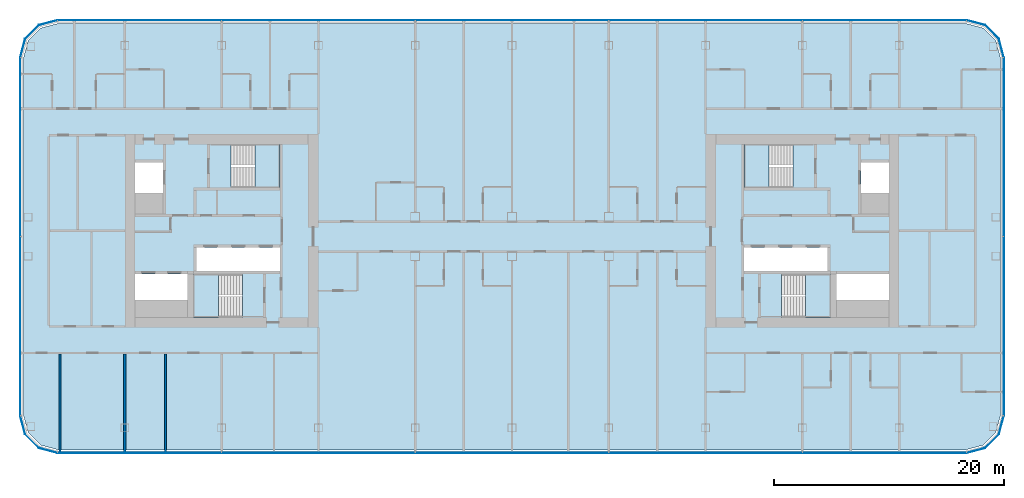
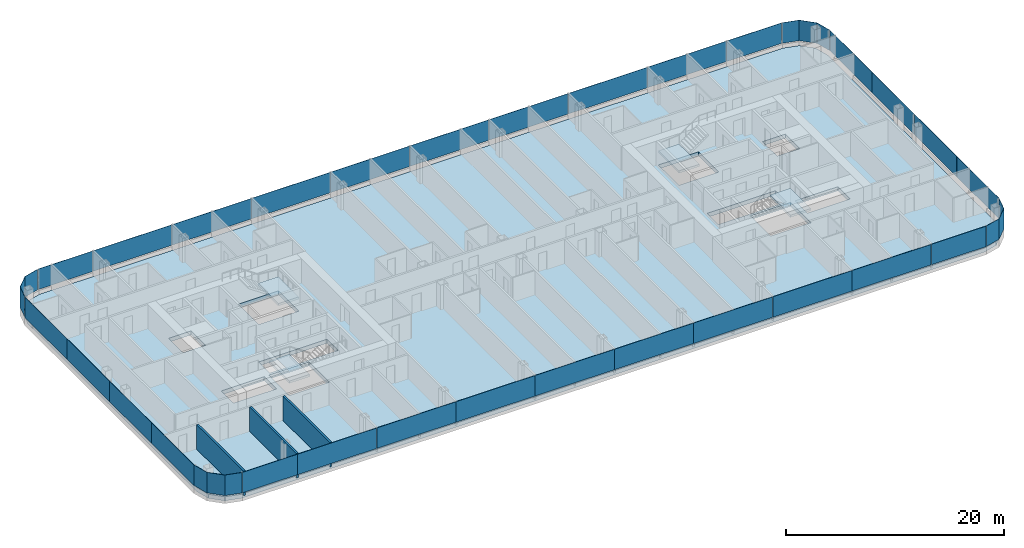
# One storey, part 11 of 26: 32 plates, 5 slabs, 3 walls, 12 elements without a shape of their own.
"""IFC4 building model written with IfcOpenShell, lengths in metres."""

from ifc_helpers import new_model, si_unit, direction, frame, frame_2d, origin, origin_2d, place, context, subcontext, project, spatial, polyline, rectangle, outline, extrude, material, layer, layer_set, type_object, element, aggregate, save


model = new_model("IFC4")

# Units and contexts
model_context = context("Model", 3, precision=1e-05, world=origin(), true_north=direction((0.0, 1.0)))
body_context = subcontext(model_context, "Body", "Model", "MODEL_VIEW")
ifc_project = project(units=[si_unit("LENGTHUNIT", "METRE"), si_unit("AREAUNIT", "SQUARE_METRE"), si_unit("VOLUMEUNIT", "CUBIC_METRE"), si_unit("PLANEANGLEUNIT", "RADIAN"), si_unit("MASSUNIT", "GRAM", prefix="KILO")], contexts=[model_context])

# Site, building, storey
site_placement = place(None, origin())
site = spatial("IfcSite", under=ifc_project, at=site_placement, CompositionType="ELEMENT")
building_placement = place(site_placement, origin())
building = spatial("IfcBuilding", under=site, at=building_placement, Name="Hakoniwa Tower and Hamabe Station Hall", CompositionType="ELEMENT")
storey_placement = place(building_placement, frame((0.0, 0.0, 169.39990234375)))
storey = spatial("IfcBuildingStorey", under=building, at=storey_placement, Name="L48", CompositionType="ELEMENT", Elevation=169.39990234375)

# Stair, slab
ifc_material_1 = material(Name="Concrete C40", Category="concrete")
stair_type = type_object("IfcStairType", Name="ESCAPE STAIR 1800", PredefinedType="HALF_TURN_STAIR", material=ifc_material_1)
stair_1_placement = place(storey_placement, origin())
stair_1 = element("IfcStair", 1, at=stair_1_placement, inside=storey, type_object=stair_type, Name="Escape stair ST-1 L48", PredefinedType="HALF_TURN_STAIR")
ifc_material_2 = material(Name="Concrete C40", Category="concrete")
ifc_layer_1 = layer(ifc_material_2, 0.25)
ifc_layer_set_1 = layer_set([ifc_layer_1], Name="CORE STAIR LANDING 250")
slab_type_1 = type_object("IfcSlabType", Name="CORE STAIR LANDING 250", PredefinedType="LANDING", material=ifc_layer_set_1)
slab_1_placement = place(storey_placement, frame((0.0, 0.0, 1.35009765625)))
slab_1 = element("IfcSlab", 2, at=slab_1_placement, type_object=slab_type_1, Name="ST-1 landing 1", PredefinedType="LANDING", context=body_context, shape_type="SweptSolid", body=[
    extrude(outline(polyline([(-22.320068359375, 3.75), (-20.14990234375, 3.75), (-20.14990234375, 7.5), (-22.320068359375, 7.5), (-22.320068359375, 3.75)])), origin(), (0.0, 0.0, 1.0), 0.25),
])
aggregate(stair_1, [slab_1])

stair_2_placement = place(storey_placement, origin())
stair_2 = element("IfcStair", 3, at=stair_2_placement, inside=storey, type_object=stair_type, Name="Escape stair ST-2 L48", PredefinedType="HALF_TURN_STAIR")
slab_2_placement = place(storey_placement, frame((0.0, 0.0, 1.35009765625)))
slab_2 = element("IfcSlab", 4, at=slab_2_placement, type_object=slab_type_1, Name="ST-2 landing 1", PredefinedType="LANDING", context=body_context, shape_type="SweptSolid", body=[
    extrude(outline(polyline([(-25.47998046875, -7.5), (-27.64990234375, -7.5), (-27.64990234375, -3.75), (-25.47998046875, -3.75), (-25.47998046875, -7.5)])), origin(), (0.0, 0.0, 1.0), 0.25),
])
aggregate(stair_2, [slab_2])

stair_3_placement = place(storey_placement, origin())
stair_3 = element("IfcStair", 5, at=stair_3_placement, inside=storey, type_object=stair_type, Name="Escape stair ST-3 L48", PredefinedType="HALF_TURN_STAIR")
slab_3_placement = place(storey_placement, frame((0.0, 0.0, 1.35009765625)))
slab_3 = element("IfcSlab", 6, at=slab_3_placement, type_object=slab_type_1, Name="ST-3 landing 1", PredefinedType="LANDING", context=body_context, shape_type="SweptSolid", body=[
    extrude(outline(polyline([(22.320068359375, 3.75), (20.14990234375, 3.75), (20.14990234375, 7.5), (22.320068359375, 7.5), (22.320068359375, 3.75)])), origin(), (0.0, 0.0, 1.0), 0.25),
])
aggregate(stair_3, [slab_3])

stair_4_placement = place(storey_placement, origin())
stair_4 = element("IfcStair", 7, at=stair_4_placement, inside=storey, type_object=stair_type, Name="Escape stair ST-4 L48", PredefinedType="HALF_TURN_STAIR")
slab_4_placement = place(storey_placement, frame((0.0, 0.0, 1.35009765625)))
slab_4 = element("IfcSlab", 8, at=slab_4_placement, type_object=slab_type_1, Name="ST-4 landing 1", PredefinedType="LANDING", context=body_context, shape_type="SweptSolid", body=[
    extrude(outline(polyline([(25.47998046875, -7.5), (27.64990234375, -7.5), (27.64990234375, -3.75), (25.47998046875, -3.75), (25.47998046875, -7.5)])), origin(), (0.0, 0.0, 1.0), 0.25),
])
aggregate(stair_4, [slab_4])

# Curtain wall, plates
ifc_material_3 = material(Name="Dark low-e laminated glass", Category="glass")
ifc_layer_2 = layer(ifc_material_3, 0.199951171875)
ifc_layer_set_2 = layer_set([ifc_layer_2], Name="CW-1 UNITISED GUEST")
curtain_wall_type = type_object("IfcCurtainWallType", Name="CW-1 UNITISED GUEST", PredefinedType="NOTDEFINED", material=ifc_layer_set_2)
curtain_wall_1_placement = place(storey_placement, origin())
curtain_wall_1 = element("IfcCurtainWall", 9, at=curtain_wall_1_placement, inside=storey, type_object=curtain_wall_type, Name="CW-1 curtain wall", PredefinedType="NOTDEFINED")
ifc_material_4 = material(Name="Dark low-e laminated glass", Category="glass")
ifc_layer_3 = layer(ifc_material_4, 0.028076171875)
ifc_layer_set_3 = layer_set([ifc_layer_3], Name="CW-1 GLASS UNIT")
plate_type = type_object("IfcPlateType", Name="CW-1 GLASS UNIT", PredefinedType="CURTAIN_PANEL", material=ifc_layer_set_3)
plate_1_placement = place(storey_placement, frame((42.68603515625, -12.154541015625, 0.35009765625), z_axis=(0.0, 0.0, 1.0), x_axis=(0.0, 1.0, 0.0)))
plate_1 = element("IfcPlate", 10, at=plate_1_placement, type_object=plate_type, Name="CW-1 glass unit", PredefinedType="CURTAIN_PANEL", context=body_context, shape_type="SweptSolid", body=[
    extrude(rectangle(XDim=7.749755859375, YDim=0.028076171875, at=origin_2d()), origin(), (0.0, 0.0, 1.0), 2.300048828125),
])
plate_2_placement = place(storey_placement, frame((42.68603515625, -4.384765625, 0.35009765625), z_axis=(0.0, 0.0, 1.0), x_axis=(0.0, 1.0, 0.0)))
plate_2 = element("IfcPlate", 11, at=plate_2_placement, type_object=plate_type, Name="CW-1 glass unit", PredefinedType="CURTAIN_PANEL", context=body_context, shape_type="SweptSolid", body=[
    extrude(rectangle(XDim=7.749755859375, YDim=0.028076171875, at=origin_2d()), origin(), (0.0, 0.0, 1.0), 2.300048828125),
])
plate_3_placement = place(storey_placement, frame((42.68603515625, 3.384765625, 0.35009765625), z_axis=(0.0, 0.0, 1.0), x_axis=(0.0, 1.0, 0.0)))
plate_3 = element("IfcPlate", 12, at=plate_3_placement, type_object=plate_type, Name="CW-1 glass unit", PredefinedType="CURTAIN_PANEL", context=body_context, shape_type="SweptSolid", body=[
    extrude(rectangle(XDim=7.749755859375, YDim=0.028076171875, at=origin_2d()), origin(), (0.0, 0.0, 1.0), 2.300048828125),
])
plate_4_placement = place(storey_placement, frame((42.68603515625, 11.154541015625, 0.35009765625), z_axis=(0.0, 0.0, 1.0), x_axis=(0.0, 1.0, 0.0)))
plate_4 = element("IfcPlate", 13, at=plate_4_placement, type_object=plate_type, Name="CW-1 glass unit", PredefinedType="CURTAIN_PANEL", context=body_context, shape_type="SweptSolid", body=[
    extrude(rectangle(XDim=7.749755859375, YDim=0.028076171875, at=origin_2d()), origin(), (0.0, 0.0, 1.0), 2.300048828125),
])
aggregate(curtain_wall_1, [plate_1, plate_2, plate_3, plate_4])

# Curtain wall, plate
curtain_wall_2_placement = place(storey_placement, origin())
curtain_wall_2 = element("IfcCurtainWall", 14, at=curtain_wall_2_placement, inside=storey, type_object=curtain_wall_type, Name="CW-1 curtain wall", PredefinedType="NOTDEFINED")
plate_5_placement = place(storey_placement, frame((0.0, 0.0, 0.35009765625)))
plate_5 = element("IfcPlate", 15, at=plate_5_placement, type_object=plate_type, Name="CW-1 curved corner unit", PredefinedType="CURTAIN_PANEL", context=body_context, shape_type="SweptSolid", body=[
    extrude(outline(polyline([(42.689697265625, 15.078125), (42.26708984375, 16.6552734375), (41.05517578125, 17.866943359375), (39.47802734375, 18.28955078125), (39.470947265625, 18.2626953125), (41.040771484375, 17.842041015625), (42.241943359375, 16.640869140625), (42.66259765625, 15.07080078125), (42.689697265625, 15.078125)])), origin(), (0.0, 0.0, 1.0), 2.300048828125),
])
aggregate(curtain_wall_2, [plate_5])

# Curtain wall, plates
curtain_wall_3_placement = place(storey_placement, origin())
curtain_wall_3 = element("IfcCurtainWall", 16, at=curtain_wall_3_placement, inside=storey, type_object=curtain_wall_type, Name="CW-1 curtain wall", PredefinedType="NOTDEFINED")
plate_6_placement = place(storey_placement, frame((36.519775390625, 18.285888671875, 0.35009765625), z_axis=(0.0, 0.0, 1.0), x_axis=(-1.0, 0.0, 0.0)))
plate_6 = element("IfcPlate", 17, at=plate_6_placement, type_object=plate_type, Name="CW-1 glass unit", PredefinedType="CURTAIN_PANEL", context=body_context, shape_type="SweptSolid", body=[
    extrude(rectangle(XDim=5.819580078125, YDim=0.028076171875, at=origin_2d()), origin(), (0.0, 0.0, 1.0), 2.300048828125),
])
plate_7_placement = place(storey_placement, frame((29.39990234375, 18.285888671875, 0.35009765625), z_axis=(0.0, 0.0, 1.0), x_axis=(-1.0, 0.0, 0.0)))
plate_7 = element("IfcPlate", 18, at=plate_7_placement, type_object=plate_type, Name="CW-1 glass unit", PredefinedType="CURTAIN_PANEL", context=body_context, shape_type="SweptSolid", body=[
    extrude(rectangle(XDim=8.3798828125, YDim=0.028076171875, at=origin_2d()), origin(), (0.0, 0.0, 1.0), 2.300048828125),
])
plate_8_placement = place(storey_placement, frame((21.0, 18.285888671875, 0.35009765625), z_axis=(0.0, 0.0, 1.0), x_axis=(-1.0, 0.0, 0.0)))
plate_8 = element("IfcPlate", 19, at=plate_8_placement, type_object=plate_type, Name="CW-1 glass unit", PredefinedType="CURTAIN_PANEL", context=body_context, shape_type="SweptSolid", body=[
    extrude(rectangle(XDim=8.3798828125, YDim=0.028076171875, at=origin_2d()), origin(), (0.0, 0.0, 1.0), 2.300048828125),
])
plate_9_placement = place(storey_placement, frame((12.60009765625, 18.285888671875, 0.35009765625), z_axis=(0.0, 0.0, 1.0), x_axis=(-1.0, 0.0, 0.0)))
plate_9 = element("IfcPlate", 20, at=plate_9_placement, type_object=plate_type, Name="CW-1 glass unit", PredefinedType="CURTAIN_PANEL", context=body_context, shape_type="SweptSolid", body=[
    extrude(rectangle(XDim=8.3798828125, YDim=0.028076171875, at=origin_2d()), origin(), (0.0, 0.0, 1.0), 2.300048828125),
])
plate_10_placement = place(storey_placement, frame((4.199951171875, 18.285888671875, 0.35009765625), z_axis=(0.0, 0.0, 1.0), x_axis=(-1.0, 0.0, 0.0)))
plate_10 = element("IfcPlate", 21, at=plate_10_placement, type_object=plate_type, Name="CW-1 glass unit", PredefinedType="CURTAIN_PANEL", context=body_context, shape_type="SweptSolid", body=[
    extrude(rectangle(XDim=8.3798828125, YDim=0.028076171875, at=origin_2d()), origin(), (0.0, 0.0, 1.0), 2.300048828125),
])
plate_11_placement = place(storey_placement, frame((-4.199951171875, 18.285888671875, 0.35009765625), z_axis=(0.0, 0.0, 1.0), x_axis=(-1.0, 0.0, 0.0)))
plate_11 = element("IfcPlate", 22, at=plate_11_placement, type_object=plate_type, Name="CW-1 glass unit", PredefinedType="CURTAIN_PANEL", context=body_context, shape_type="SweptSolid", body=[
    extrude(rectangle(XDim=8.3798828125, YDim=0.028076171875, at=origin_2d()), origin(), (0.0, 0.0, 1.0), 2.300048828125),
])
plate_12_placement = place(storey_placement, frame((-12.60009765625, 18.285888671875, 0.35009765625), z_axis=(0.0, 0.0, 1.0), x_axis=(-1.0, 0.0, 0.0)))
plate_12 = element("IfcPlate", 23, at=plate_12_placement, type_object=plate_type, Name="CW-1 glass unit", PredefinedType="CURTAIN_PANEL", context=body_context, shape_type="SweptSolid", body=[
    extrude(rectangle(XDim=8.3798828125, YDim=0.028076171875, at=origin_2d()), origin(), (0.0, 0.0, 1.0), 2.300048828125),
])
plate_13_placement = place(storey_placement, frame((-21.0, 18.285888671875, 0.35009765625), z_axis=(0.0, 0.0, 1.0), x_axis=(-1.0, 0.0, 0.0)))
plate_13 = element("IfcPlate", 24, at=plate_13_placement, type_object=plate_type, Name="CW-1 glass unit", PredefinedType="CURTAIN_PANEL", context=body_context, shape_type="SweptSolid", body=[
    extrude(rectangle(XDim=8.3798828125, YDim=0.028076171875, at=origin_2d()), origin(), (0.0, 0.0, 1.0), 2.300048828125),
])
plate_14_placement = place(storey_placement, frame((-29.39990234375, 18.285888671875, 0.35009765625), z_axis=(0.0, 0.0, 1.0), x_axis=(-1.0, 0.0, 0.0)))
plate_14 = element("IfcPlate", 25, at=plate_14_placement, type_object=plate_type, Name="CW-1 glass unit", PredefinedType="CURTAIN_PANEL", context=body_context, shape_type="SweptSolid", body=[
    extrude(rectangle(XDim=8.3798828125, YDim=0.028076171875, at=origin_2d()), origin(), (0.0, 0.0, 1.0), 2.300048828125),
])
plate_15_placement = place(storey_placement, frame((-36.519775390625, 18.285888671875, 0.35009765625), z_axis=(0.0, 0.0, 1.0), x_axis=(-1.0, 0.0, 0.0)))
plate_15 = element("IfcPlate", 26, at=plate_15_placement, type_object=plate_type, Name="CW-1 glass unit", PredefinedType="CURTAIN_PANEL", context=body_context, shape_type="SweptSolid", body=[
    extrude(rectangle(XDim=5.819580078125, YDim=0.028076171875, at=origin_2d()), origin(), (0.0, 0.0, 1.0), 2.300048828125),
])
aggregate(curtain_wall_3, [plate_6, plate_7, plate_8, plate_9, plate_10, plate_11, plate_12, plate_13, plate_14, plate_15])

# Curtain wall, plate
curtain_wall_4_placement = place(storey_placement, origin())
curtain_wall_4 = element("IfcCurtainWall", 27, at=curtain_wall_4_placement, inside=storey, type_object=curtain_wall_type, Name="CW-1 curtain wall", PredefinedType="NOTDEFINED")
plate_16_placement = place(storey_placement, frame((0.0, 0.0, 0.35009765625)))
plate_16 = element("IfcPlate", 28, at=plate_16_placement, type_object=plate_type, Name="CW-1 curved corner unit", PredefinedType="CURTAIN_PANEL", context=body_context, shape_type="SweptSolid", body=[
    extrude(outline(polyline([(-39.47802734375, 18.28955078125), (-41.05517578125, 17.866943359375), (-42.26708984375, 16.6552734375), (-42.689697265625, 15.078125), (-42.66259765625, 15.07080078125), (-42.241943359375, 16.640869140625), (-41.040771484375, 17.842041015625), (-39.470947265625, 18.2626953125), (-39.47802734375, 18.28955078125)])), origin(), (0.0, 0.0, 1.0), 2.300048828125),
])
aggregate(curtain_wall_4, [plate_16])

# Curtain wall, plates
curtain_wall_5_placement = place(storey_placement, origin())
curtain_wall_5 = element("IfcCurtainWall", 29, at=curtain_wall_5_placement, inside=storey, type_object=curtain_wall_type, Name="CW-1 curtain wall", PredefinedType="NOTDEFINED")
plate_17_placement = place(storey_placement, frame((-42.68603515625, 11.154541015625, 0.35009765625), z_axis=(0.0, 0.0, 1.0), x_axis=(0.0, -1.0, 0.0)))
plate_17 = element("IfcPlate", 30, at=plate_17_placement, type_object=plate_type, Name="CW-1 glass unit", PredefinedType="CURTAIN_PANEL", context=body_context, shape_type="SweptSolid", body=[
    extrude(rectangle(XDim=7.749755859375, YDim=0.028076171875, at=origin_2d()), origin(), (0.0, 0.0, 1.0), 2.300048828125),
])
plate_18_placement = place(storey_placement, frame((-42.68603515625, 3.384765625, 0.35009765625), z_axis=(0.0, 0.0, 1.0), x_axis=(0.0, -1.0, 0.0)))
plate_18 = element("IfcPlate", 31, at=plate_18_placement, type_object=plate_type, Name="CW-1 glass unit", PredefinedType="CURTAIN_PANEL", context=body_context, shape_type="SweptSolid", body=[
    extrude(rectangle(XDim=7.749755859375, YDim=0.028076171875, at=origin_2d()), origin(), (0.0, 0.0, 1.0), 2.300048828125),
])
plate_19_placement = place(storey_placement, frame((-42.68603515625, -4.384765625, 0.35009765625), z_axis=(0.0, 0.0, 1.0), x_axis=(0.0, -1.0, 0.0)))
plate_19 = element("IfcPlate", 32, at=plate_19_placement, type_object=plate_type, Name="CW-1 glass unit", PredefinedType="CURTAIN_PANEL", context=body_context, shape_type="SweptSolid", body=[
    extrude(rectangle(XDim=7.749755859375, YDim=0.028076171875, at=origin_2d()), origin(), (0.0, 0.0, 1.0), 2.300048828125),
])
plate_20_placement = place(storey_placement, frame((-42.68603515625, -12.154541015625, 0.35009765625), z_axis=(0.0, 0.0, 1.0), x_axis=(0.0, -1.0, 0.0)))
plate_20 = element("IfcPlate", 33, at=plate_20_placement, type_object=plate_type, Name="CW-1 glass unit", PredefinedType="CURTAIN_PANEL", context=body_context, shape_type="SweptSolid", body=[
    extrude(rectangle(XDim=7.749755859375, YDim=0.028076171875, at=origin_2d()), origin(), (0.0, 0.0, 1.0), 2.300048828125),
])
aggregate(curtain_wall_5, [plate_17, plate_18, plate_19, plate_20])

# Curtain wall, plate
curtain_wall_6_placement = place(storey_placement, origin())
curtain_wall_6 = element("IfcCurtainWall", 34, at=curtain_wall_6_placement, inside=storey, type_object=curtain_wall_type, Name="CW-1 curtain wall", PredefinedType="NOTDEFINED")
plate_21_placement = place(storey_placement, frame((0.0, 0.0, 0.35009765625)))
plate_21 = element("IfcPlate", 35, at=plate_21_placement, type_object=plate_type, Name="CW-1 curved corner unit", PredefinedType="CURTAIN_PANEL", context=body_context, shape_type="SweptSolid", body=[
    extrude(outline(polyline([(-42.689697265625, -16.078125), (-42.26708984375, -17.6552734375), (-41.05517578125, -18.866943359375), (-39.47802734375, -19.28955078125), (-39.470947265625, -19.2626953125), (-41.040771484375, -18.842041015625), (-42.241943359375, -17.640869140625), (-42.66259765625, -16.07080078125), (-42.689697265625, -16.078125)])), origin(), (0.0, 0.0, 1.0), 2.300048828125),
])
aggregate(curtain_wall_6, [plate_21])

# Curtain wall, plates
curtain_wall_7_placement = place(storey_placement, origin())
curtain_wall_7 = element("IfcCurtainWall", 36, at=curtain_wall_7_placement, inside=storey, type_object=curtain_wall_type, Name="CW-1 curtain wall", PredefinedType="NOTDEFINED")
plate_22_placement = place(storey_placement, frame((-36.519775390625, -19.285888671875, 0.35009765625), z_axis=(0.0, 0.0, 1.0), x_axis=(1.0, 0.0, 0.0)))
plate_22 = element("IfcPlate", 37, at=plate_22_placement, type_object=plate_type, Name="CW-1 glass unit", PredefinedType="CURTAIN_PANEL", context=body_context, shape_type="SweptSolid", body=[
    extrude(rectangle(XDim=5.819580078125, YDim=0.028076171875, at=origin_2d()), origin(), (0.0, 0.0, 1.0), 2.300048828125),
])
plate_23_placement = place(storey_placement, frame((-29.39990234375, -19.285888671875, 0.35009765625), z_axis=(0.0, 0.0, 1.0), x_axis=(1.0, 0.0, 0.0)))
plate_23 = element("IfcPlate", 38, at=plate_23_placement, type_object=plate_type, Name="CW-1 glass unit", PredefinedType="CURTAIN_PANEL", context=body_context, shape_type="SweptSolid", body=[
    extrude(rectangle(XDim=8.3798828125, YDim=0.028076171875, at=origin_2d()), origin(), (0.0, 0.0, 1.0), 2.300048828125),
])
plate_24_placement = place(storey_placement, frame((-21.0, -19.285888671875, 0.35009765625), z_axis=(0.0, 0.0, 1.0), x_axis=(1.0, 0.0, 0.0)))
plate_24 = element("IfcPlate", 39, at=plate_24_placement, type_object=plate_type, Name="CW-1 glass unit", PredefinedType="CURTAIN_PANEL", context=body_context, shape_type="SweptSolid", body=[
    extrude(rectangle(XDim=8.3798828125, YDim=0.028076171875, at=origin_2d()), origin(), (0.0, 0.0, 1.0), 2.300048828125),
])
plate_25_placement = place(storey_placement, frame((-12.60009765625, -19.285888671875, 0.35009765625), z_axis=(0.0, 0.0, 1.0), x_axis=(1.0, 0.0, 0.0)))
plate_25 = element("IfcPlate", 40, at=plate_25_placement, type_object=plate_type, Name="CW-1 glass unit", PredefinedType="CURTAIN_PANEL", context=body_context, shape_type="SweptSolid", body=[
    extrude(rectangle(XDim=8.3798828125, YDim=0.028076171875, at=origin_2d()), origin(), (0.0, 0.0, 1.0), 2.300048828125),
])
plate_26_placement = place(storey_placement, frame((-4.199951171875, -19.285888671875, 0.35009765625), z_axis=(0.0, 0.0, 1.0), x_axis=(1.0, 0.0, 0.0)))
plate_26 = element("IfcPlate", 41, at=plate_26_placement, type_object=plate_type, Name="CW-1 glass unit", PredefinedType="CURTAIN_PANEL", context=body_context, shape_type="SweptSolid", body=[
    extrude(rectangle(XDim=8.3798828125, YDim=0.028076171875, at=origin_2d()), origin(), (0.0, 0.0, 1.0), 2.300048828125),
])
plate_27_placement = place(storey_placement, frame((4.199951171875, -19.285888671875, 0.35009765625), z_axis=(0.0, 0.0, 1.0), x_axis=(1.0, 0.0, 0.0)))
plate_27 = element("IfcPlate", 42, at=plate_27_placement, type_object=plate_type, Name="CW-1 glass unit", PredefinedType="CURTAIN_PANEL", context=body_context, shape_type="SweptSolid", body=[
    extrude(rectangle(XDim=8.3798828125, YDim=0.028076171875, at=origin_2d()), origin(), (0.0, 0.0, 1.0), 2.300048828125),
])
plate_28_placement = place(storey_placement, frame((12.60009765625, -19.285888671875, 0.35009765625), z_axis=(0.0, 0.0, 1.0), x_axis=(1.0, 0.0, 0.0)))
plate_28 = element("IfcPlate", 43, at=plate_28_placement, type_object=plate_type, Name="CW-1 glass unit", PredefinedType="CURTAIN_PANEL", context=body_context, shape_type="SweptSolid", body=[
    extrude(rectangle(XDim=8.3798828125, YDim=0.028076171875, at=origin_2d()), origin(), (0.0, 0.0, 1.0), 2.300048828125),
])
plate_29_placement = place(storey_placement, frame((21.0, -19.285888671875, 0.35009765625), z_axis=(0.0, 0.0, 1.0), x_axis=(1.0, 0.0, 0.0)))
plate_29 = element("IfcPlate", 44, at=plate_29_placement, type_object=plate_type, Name="CW-1 glass unit", PredefinedType="CURTAIN_PANEL", context=body_context, shape_type="SweptSolid", body=[
    extrude(rectangle(XDim=8.3798828125, YDim=0.028076171875, at=origin_2d()), origin(), (0.0, 0.0, 1.0), 2.300048828125),
])
plate_30_placement = place(storey_placement, frame((29.39990234375, -19.285888671875, 0.35009765625), z_axis=(0.0, 0.0, 1.0), x_axis=(1.0, 0.0, 0.0)))
plate_30 = element("IfcPlate", 45, at=plate_30_placement, type_object=plate_type, Name="CW-1 glass unit", PredefinedType="CURTAIN_PANEL", context=body_context, shape_type="SweptSolid", body=[
    extrude(rectangle(XDim=8.3798828125, YDim=0.028076171875, at=origin_2d()), origin(), (0.0, 0.0, 1.0), 2.300048828125),
])
plate_31_placement = place(storey_placement, frame((36.519775390625, -19.285888671875, 0.35009765625), z_axis=(0.0, 0.0, 1.0), x_axis=(1.0, 0.0, 0.0)))
plate_31 = element("IfcPlate", 46, at=plate_31_placement, type_object=plate_type, Name="CW-1 glass unit", PredefinedType="CURTAIN_PANEL", context=body_context, shape_type="SweptSolid", body=[
    extrude(rectangle(XDim=5.819580078125, YDim=0.028076171875, at=origin_2d()), origin(), (0.0, 0.0, 1.0), 2.300048828125),
])
aggregate(curtain_wall_7, [plate_22, plate_23, plate_24, plate_25, plate_26, plate_27, plate_28, plate_29, plate_30, plate_31])

# Curtain wall, plate
curtain_wall_8_placement = place(storey_placement, origin())
curtain_wall_8 = element("IfcCurtainWall", 47, at=curtain_wall_8_placement, inside=storey, type_object=curtain_wall_type, Name="CW-1 curtain wall", PredefinedType="NOTDEFINED")
plate_32_placement = place(storey_placement, frame((0.0, 0.0, 0.35009765625)))
plate_32 = element("IfcPlate", 48, at=plate_32_placement, type_object=plate_type, Name="CW-1 curved corner unit", PredefinedType="CURTAIN_PANEL", context=body_context, shape_type="SweptSolid", body=[
    extrude(outline(polyline([(39.47802734375, -19.28955078125), (41.05517578125, -18.866943359375), (42.26708984375, -17.6552734375), (42.689697265625, -16.078125), (42.66259765625, -16.07080078125), (42.241943359375, -17.640869140625), (41.040771484375, -18.842041015625), (39.470947265625, -19.2626953125), (39.47802734375, -19.28955078125)])), origin(), (0.0, 0.0, 1.0), 2.300048828125),
])
aggregate(curtain_wall_8, [plate_32])

# Slab
ifc_material_5 = material(Name="Concrete C42", Category="concrete")
ifc_layer_4 = layer(ifc_material_5, 0.449951171875)
ifc_layer_set_4 = layer_set([ifc_layer_4], Name="PT FLAT PLATE 450")
slab_type_2 = type_object("IfcSlabType", Name="PT FLAT PLATE 450", PredefinedType="FLOOR", material=ifc_layer_set_4)
slab_5_placement = place(storey_placement, frame((0.0, 0.0, -0.449951171875)))
element("IfcSlab", 49, at=slab_5_placement, inside=storey, type_object=slab_type_2, Name="Floor slab L48", PredefinedType="FLOOR", context=body_context, shape_type="SweptSolid", body=[
    extrude(outline(polyline([(42.39990234375, -16.0), (42.39990234375, 15.0), (41.998046875, 16.5), (40.89990234375, 17.59814453125), (39.39990234375, 18.0), (-39.39990234375, 18.0), (-40.89990234375, 17.59814453125), (-41.998046875, 16.5), (-42.39990234375, 15.0), (-42.39990234375, -16.0), (-41.998046875, -17.5), (-40.89990234375, -18.59814453125), (-39.39990234375, -19.0), (39.39990234375, -19.0), (40.89990234375, -18.59814453125), (41.998046875, -17.5), (42.39990234375, -16.0)]), holes=[polyline([(-27.39990234375, -3.5), (-27.39990234375, -1.449951171875), (-20.14990234375, -1.449951171875), (-20.14990234375, -3.5), (-27.39990234375, -3.5)]), polyline([(-32.699951171875, 3.300048828125), (-32.699951171875, 5.949951171875), (-30.300048828125, 5.949951171875), (-30.300048828125, 3.300048828125), (-32.699951171875, 3.300048828125)]), polyline([(-32.699951171875, -6.0), (-32.699951171875, -3.75), (-28.14990234375, -3.75), (-28.14990234375, -6.0), (-32.699951171875, -6.0)]), polyline([(-24.389892578125, 3.75), (-24.389892578125, 7.5), (-20.14990234375, 7.5), (-20.14990234375, 3.75), (-24.389892578125, 3.75)]), polyline([(-27.64990234375, -7.5), (-27.64990234375, -3.75), (-23.409912109375, -3.75), (-23.409912109375, -7.5), (-27.64990234375, -7.5)]), polyline([(20.14990234375, -3.5), (20.14990234375, -1.449951171875), (27.39990234375, -1.449951171875), (27.39990234375, -3.5), (20.14990234375, -3.5)]), polyline([(30.300048828125, 3.300048828125), (30.300048828125, 5.949951171875), (32.699951171875, 5.949951171875), (32.699951171875, 3.300048828125), (30.300048828125, 3.300048828125)]), polyline([(28.14990234375, -6.0), (28.14990234375, -3.75), (32.699951171875, -3.75), (32.699951171875, -6.0), (28.14990234375, -6.0)]), polyline([(20.14990234375, 3.75), (20.14990234375, 7.5), (24.389892578125, 7.5), (24.389892578125, 3.75), (20.14990234375, 3.75)]), polyline([(23.409912109375, -7.5), (23.409912109375, -3.75), (27.64990234375, -3.75), (27.64990234375, -7.5), (23.409912109375, -7.5)])]), origin(), (0.0, 0.0, 1.0), 0.449951171875),
])

# Walls
ifc_material_6 = material(Name="Fire-rated gypsum board partition", Category="gypsum")
ifc_layer_5 = layer(ifc_material_6, 0.199951171875)
ifc_layer_set_5 = layer_set([ifc_layer_5], Name="Party Wall 200")
wall_type = type_object("IfcWallType", Name="Party Wall 200", PredefinedType="PARTITIONING", material=ifc_layer_set_5)
for number, where, z_axis, x_axis, name in (
    (50, (-39.22998046875, -19.300048828125, 0.0), (0.0, 0.0, 1.0), (0.0, 1.0, 0.0), "GW-L48-038"),
    (51, (-33.60009765625, -19.300048828125, 0.0), (0.0, 0.0, 1.0), (0.0, 1.0, 0.0), "GW-L48-043"),
    (52, (-30.070068359375, -19.300048828125, 0.0), (0.0, 0.0, 1.0), (0.0, 1.0, 0.0), "GW-L48-046"),
):
    element("IfcWall", number, at=place(storey_placement, frame(where, z_axis=z_axis, x_axis=x_axis)), inside=storey, type_object=wall_type, Name=name, PredefinedType="PARTITIONING", context=body_context, shape_type="SweptSolid", body=[
        extrude(rectangle(XDim=8.60009765625, YDim=0.199951171875, at=frame_2d((4.300048828125, 0.0))), origin(), (0.0, 0.0, 1.0), 2.75),
    ])

save(model, "model.ifc")
